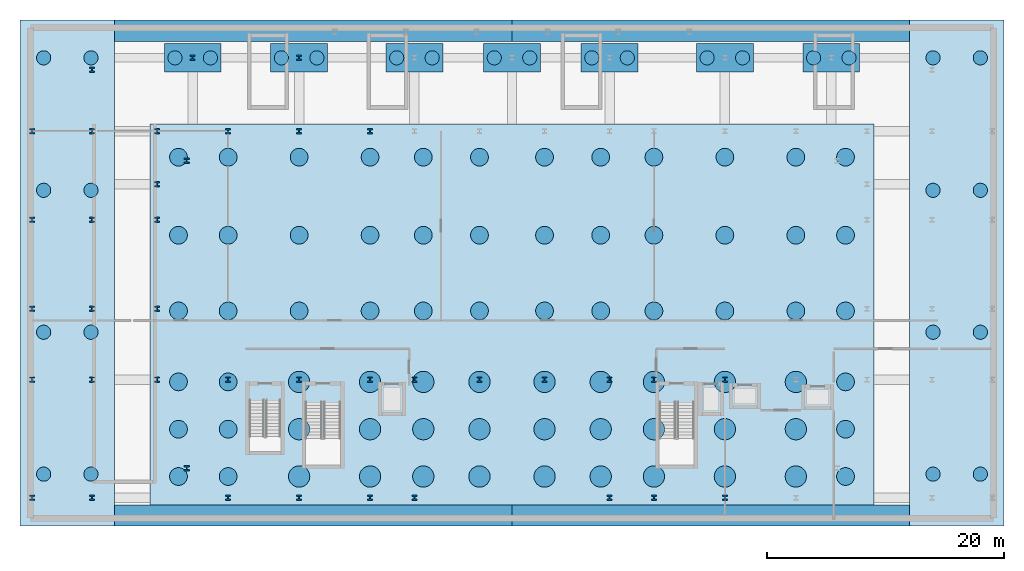
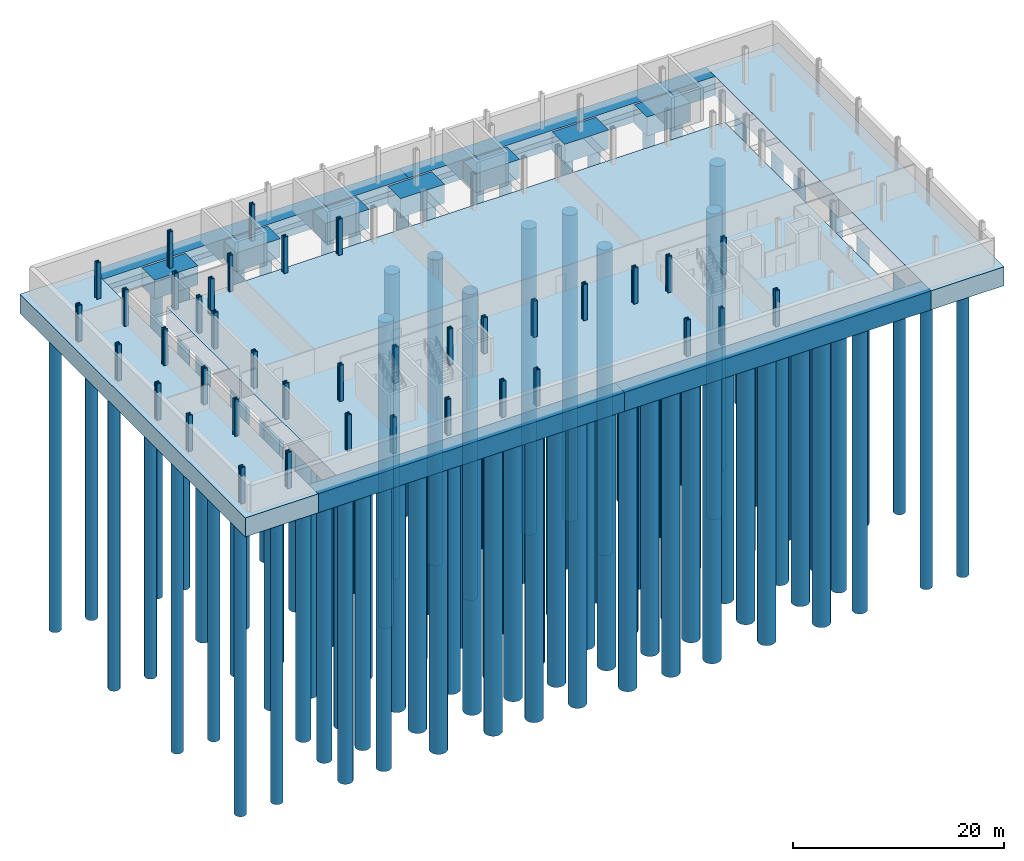
# One storey, part 1 of 7: 102 piles, 39 columns, 14 footings.
"""IFC4 building model written with IfcOpenShell, lengths in metres."""

import ifcopenshell
import ifcopenshell.guid

model = None  # the IFC model being written
_history = None  # IfcOwnerHistory: only IFC2X3 demands one
_inside = {}  # id of a spatial element -> (the spatial element, [elements in it])
_under = {}  # id of a project, library or spatial element -> (it, [spatial elements below it])
_declared = {}  # id of a project -> (the project, [libraries it declares])
_typed = {}  # id of a type object -> (the type object, [elements of that type])
_made_of = {}  # id of a material, layer set ... -> (it, [elements and type objects made of it])


def new_model(schema):
    """Start an empty IFC model of exactly this schema.

    Asked for "IFC4X3", IfcOpenShell would pick the latest addendum, in which some entities
    have other attributes; the version numbers below select the first issue.
    IFC2X3 requires an IfcOwnerHistory on every rooted entity: one is made here for all.
    """
    global model, _history
    if schema == "IFC4X3":
        model = ifcopenshell.file(schema_version=(4, 3, 0, 0))
    else:
        model = ifcopenshell.file(schema=schema)
    _inside.clear()
    _under.clear()
    _declared.clear()
    _typed.clear()
    _made_of.clear()
    _history = None
    if model.schema == "IFC2X3":
        org = make("IfcOrganization", Name="unknown")
        user = make(
            "IfcPersonAndOrganization",
            ThePerson=make("IfcPerson", FamilyName="unknown"),
            TheOrganization=org,
        )
        app = make(
            "IfcApplication",
            ApplicationDeveloper=org,
            Version="unknown",
            ApplicationFullName="unknown",
            ApplicationIdentifier="unknown",
        )
        _history = make(
            "IfcOwnerHistory",
            OwningUser=user,
            OwningApplication=app,
            ChangeAction="ADDED",
            CreationDate=0,
        )
    return model


def make(cls, **values):
    """One entity of the class cls with the attributes given. An attribute that is None is left unset."""
    return model.create_entity(
        cls, **{name: value for name, value in values.items() if value is not None}
    )


def rooted(cls, **values):
    """An entity with a GlobalId (a new one), such as an element, a storey or a relation."""
    return make(cls, GlobalId=ifcopenshell.guid.new(), OwnerHistory=_history, **values)


def si_unit(unit_type, name, prefix=None):
    """IfcSIUnit, for example si_unit("LENGTHUNIT", "METRE", prefix="MILLI")."""
    return make("IfcSIUnit", UnitType=unit_type, Prefix=prefix, Name=name)


def assignment(units):
    """IfcUnitAssignment: the units of a project."""
    return None if units is None else make("IfcUnitAssignment", Units=units)


def point(xyz):
    """IfcCartesianPoint."""
    return None if xyz is None else make("IfcCartesianPoint", Coordinates=xyz)


def direction(xyz):
    """IfcDirection."""
    return None if xyz is None else make("IfcDirection", DirectionRatios=xyz)


def frame(location, z_axis=None, x_axis=None):
    """IfcAxis2Placement3D, a coordinate frame: its origin and axes. An axis left out is left unset."""
    return make(
        "IfcAxis2Placement3D",
        Location=point(location),
        Axis=direction(z_axis),
        RefDirection=direction(x_axis),
    )


def frame_2d(location, x_axis=None):
    """IfcAxis2Placement2D, a coordinate frame in the plane: its origin and x axis."""
    return make(
        "IfcAxis2Placement2D", Location=point(location), RefDirection=direction(x_axis)
    )


def origin():
    """The frame at (0, 0, 0) with its axes left unset."""
    return frame((0.0, 0.0, 0.0))


def origin_2d():
    """The frame at (0, 0) in the plane with its x axis left unset."""
    return frame_2d((0.0, 0.0))


def place(relative_to, where):
    """IfcLocalPlacement: puts the frame where relative to a parent placement (None: the world)."""
    return make(
        "IfcLocalPlacement", PlacementRelTo=relative_to, RelativePlacement=where
    )


def context(
    kind, dimensions, precision=None, world=None, true_north=None, identifier=None
):
    """IfcGeometricRepresentationContext, for example the 3D "Model" context."""
    return make(
        "IfcGeometricRepresentationContext",
        ContextIdentifier=identifier,
        ContextType=kind,
        CoordinateSpaceDimension=dimensions,
        Precision=precision,
        WorldCoordinateSystem=world,
        TrueNorth=true_north,
    )


def subcontext(parent, identifier, kind, view, scale=None):
    """IfcGeometricRepresentationSubContext, for example "Body" below "Model"."""
    return make(
        "IfcGeometricRepresentationSubContext",
        ContextIdentifier=identifier,
        ContextType=kind,
        ParentContext=parent,
        TargetScale=scale,
        TargetView=view,
    )


def project(units=None, contexts=None):
    """IfcProject with its units and contexts."""
    return rooted(
        "IfcProject",
        Name="project",
        RepresentationContexts=contexts,
        UnitsInContext=assignment(units),
    )


def spatial(cls, under=None, at=None, **own):
    """A site, building, storey or space (cls), placed at a placement, below another one or the project."""
    s = rooted(cls, ObjectPlacement=at, **own)
    if under is not None:
        _under.setdefault(under.id(), (under, []))[1].append(s)
    return s


def polyline(points):
    """IfcPolyline through the points."""
    return make("IfcPolyline", Points=[point(p) for p in points])


def profile(cls, at=None, kind="AREA", **sizes):
    """A parametric profile (cls). Its sizes go by their IFC names, for example OverallWidth=200.0."""
    return make(cls, ProfileType=kind, Position=at, **sizes)


def circle(**sizes):
    """IfcCircleProfileDef."""
    return profile("IfcCircleProfileDef", **sizes)


def i_section(**sizes):
    """IfcIShapeProfileDef."""
    return profile("IfcIShapeProfileDef", **sizes)


def outline(outer, holes=None, kind="AREA"):
    """IfcArbitraryClosedProfileDef: a profile drawn as a closed curve; with holes, ...WithVoids."""
    if holes is None:
        return make("IfcArbitraryClosedProfileDef", ProfileType=kind, OuterCurve=outer)
    return make(
        "IfcArbitraryProfileDefWithVoids",
        ProfileType=kind,
        OuterCurve=outer,
        InnerCurves=holes,
    )


def extrude(swept, where, along, depth):
    """IfcExtrudedAreaSolid: the profile swept, set in the frame where, extruded along a direction by depth."""
    return make(
        "IfcExtrudedAreaSolid",
        SweptArea=swept,
        Position=where,
        ExtrudedDirection=direction(along),
        Depth=depth,
    )


def shape(context_of_items, identifier, shape_type, items):
    """IfcShapeRepresentation: the items that make up one representation, for example the "Body"."""
    return make(
        "IfcShapeRepresentation",
        ContextOfItems=context_of_items,
        RepresentationIdentifier=identifier,
        RepresentationType=shape_type,
        Items=items,
    )


def material(Name=None, Category=None):
    """IfcMaterial."""
    return make("IfcMaterial", Name=Name, Category=Category)


def layer(
    of_material, thickness, ventilated=None, Name=None, Category=None, Priority=None
):
    """IfcMaterialLayer: one layer of a wall or slab, of a material (None: an air gap)."""
    return make(
        "IfcMaterialLayer",
        Material=of_material,
        LayerThickness=thickness,
        IsVentilated=ventilated,
        Name=Name,
        Category=Category,
        Priority=Priority,
    )


def layer_set(layers, Name=None):
    """IfcMaterialLayerSet."""
    return make("IfcMaterialLayerSet", MaterialLayers=layers, LayerSetName=Name)


def material_profile(
    of_material, cross_section, Name=None, Category=None, Priority=None
):
    """IfcMaterialProfile: a cross section and its material."""
    return make(
        "IfcMaterialProfile",
        Name=Name,
        Material=of_material,
        Profile=cross_section,
        Priority=Priority,
        Category=Category,
    )


def profile_set(profiles, Name=None, composite=None):
    """IfcMaterialProfileSet."""
    return make(
        "IfcMaterialProfileSet",
        Name=Name,
        MaterialProfiles=profiles,
        CompositeProfile=composite,
    )


def made_of(thing, what):
    """Note that an element or type object is made of a material, layer set ...; save() writes the relation."""
    if what is not None:
        _made_of.setdefault(what.id(), (what, []))[1].append(thing)
    return thing


def type_object(cls, material=None, **own):
    """A type object (cls), such as IfcWallType, which elements share."""
    return made_of(rooted(cls, **own), material)


def element(
    cls,
    number,
    at=None,
    inside=None,
    cuts=None,
    type_object=None,
    material=None,
    context=None,
    identifier="Body",
    shape_type=None,
    held_by="IfcProductDefinitionShape",
    body=None,
    shapes=None,
    **own,
):
    """One element of the class cls, such as IfcWall. Its Tag is "e" and its number.

    at: its placement. inside: the storey or other place that contains it. cuts: it is an
    opening in that element (IfcRelVoidsElement). A single representation is given by context,
    identifier, shape_type and body (its items); several are given by shapes. held_by: the class
    of the entity that holds the representations. save() writes the other relations.
    """
    e = rooted(cls, Tag="e%d" % number, ObjectPlacement=at, **own)
    if body is not None:
        shapes = [shape(context, identifier, shape_type, body)]
    if shapes is not None:
        e.Representation = make(held_by, Representations=shapes)
    if inside is not None:
        _inside.setdefault(inside.id(), (inside, []))[1].append(e)
    if cuts is not None:
        rooted(
            "IfcRelVoidsElement", RelatingBuildingElement=cuts, RelatedOpeningElement=e
        )
    if type_object is not None:
        _typed.setdefault(type_object.id(), (type_object, []))[1].append(e)
    return made_of(e, material)


def aggregate(whole, parts):
    """IfcRelAggregates: a whole, such as a stair, and the parts it consists of."""
    return rooted("IfcRelAggregates", RelatingObject=whole, RelatedObjects=parts)


def save(model, path):
    """Write the relations noted so far, then the file.

    IfcRelAggregates (storeys below a building ...), IfcRelContainedInSpatialStructure (elements
    in a storey), IfcRelDefinesByType, IfcRelAssociatesMaterial and IfcRelDeclares: one each for
    every whole, place, type object, material and project.
    """
    for whole, parts in _under.values():
        aggregate(whole, parts)
    for where, things in _inside.values():
        rooted(
            "IfcRelContainedInSpatialStructure",
            RelatedElements=things,
            RelatingStructure=where,
        )
    for kind, things in _typed.values():
        rooted("IfcRelDefinesByType", RelatedObjects=things, RelatingType=kind)
    for what, things in _made_of.values():
        rooted("IfcRelAssociatesMaterial", RelatedObjects=things, RelatingMaterial=what)
    for by, libraries in _declared.values():
        rooted("IfcRelDeclares", RelatingContext=by, RelatedDefinitions=libraries)
    model.write(path)


model = new_model("IFC4")

# Units and contexts
model_context = context("Model", 3, precision=1e-05, world=origin(), true_north=direction((0.0, 1.0)))
body_context = subcontext(model_context, "Body", "Model", "MODEL_VIEW")
ifc_project = project(units=[si_unit("LENGTHUNIT", "METRE"), si_unit("AREAUNIT", "SQUARE_METRE"), si_unit("VOLUMEUNIT", "CUBIC_METRE"), si_unit("PLANEANGLEUNIT", "RADIAN"), si_unit("MASSUNIT", "GRAM", prefix="KILO")], contexts=[model_context])

# Site, building, storey
site_placement = place(None, origin())
site = spatial("IfcSite", under=ifc_project, at=site_placement, CompositionType="ELEMENT")
building_placement = place(site_placement, origin())
building = spatial("IfcBuilding", under=site, at=building_placement, Name="Brevholm Reach", CompositionType="ELEMENT")
storey_placement = place(building_placement, frame((0.0, 0.0, -8.39990234375)))
storey = spatial("IfcBuildingStorey", under=building, at=storey_placement, Name="B02", CompositionType="ELEMENT", Elevation=-8.39990234375)

# Footings
ifc_material_1 = material(Name="Concrete C50/60", Category="concrete")
ifc_layer_1 = layer(ifc_material_1, 2.199951171875)
ifc_layer_set_1 = layer_set([ifc_layer_1], Name="Concrete C50/60")
footing_type_1 = type_object("IfcFootingType", Name="FTG-PC-4800", PredefinedType="PILE_CAP", material=ifc_layer_set_1)
footing_1_placement = place(storey_placement, frame((0.0, 0.0, -2.2001953125)))
element("IfcFooting", 1, at=footing_1_placement, inside=storey, type_object=footing_type_1, Name="B02 Podium Pile Cap PC-01", PredefinedType="PILE_CAP", context=body_context, shape_type="SweptSolid", body=[
    extrude(outline(polyline([(0.60009765625, 36.0), (5.39990234375, 36.0), (5.39990234375, 38.39990234375), (0.60009765625, 38.39990234375), (0.60009765625, 36.0)])), origin(), (0.0, 0.0, 1.0), 2.2001953125),
])
footing_2_placement = place(storey_placement, frame((0.0, 0.0, -2.2001953125)))
element("IfcFooting", 2, at=footing_2_placement, inside=storey, type_object=footing_type_1, Name="B02 Podium Pile Cap PC-02", PredefinedType="PILE_CAP", context=body_context, shape_type="SweptSolid", body=[
    extrude(outline(polyline([(9.60009765625, 36.0), (14.39990234375, 36.0), (14.39990234375, 38.39990234375), (9.60009765625, 38.39990234375), (9.60009765625, 36.0)])), origin(), (0.0, 0.0, 1.0), 2.2001953125),
])
footing_3_placement = place(storey_placement, frame((0.0, 0.0, -2.2001953125)))
element("IfcFooting", 3, at=footing_3_placement, inside=storey, type_object=footing_type_1, Name="B02 Podium Pile Cap PC-03", PredefinedType="PILE_CAP", context=body_context, shape_type="SweptSolid", body=[
    extrude(outline(polyline([(19.35009765625, 36.0), (24.14990234375, 36.0), (24.14990234375, 38.39990234375), (19.35009765625, 38.39990234375), (19.35009765625, 36.0)])), origin(), (0.0, 0.0, 1.0), 2.2001953125),
])
footing_4_placement = place(storey_placement, frame((0.0, 0.0, -2.2001953125)))
element("IfcFooting", 4, at=footing_4_placement, inside=storey, type_object=footing_type_1, Name="B02 Podium Pile Cap PC-04", PredefinedType="PILE_CAP", context=body_context, shape_type="SweptSolid", body=[
    extrude(outline(polyline([(27.60009765625, 36.0), (32.39990234375, 36.0), (32.39990234375, 38.39990234375), (27.60009765625, 38.39990234375), (27.60009765625, 36.0)])), origin(), (0.0, 0.0, 1.0), 2.2001953125),
])
footing_5_placement = place(storey_placement, frame((0.0, 0.0, -2.2001953125)))
element("IfcFooting", 5, at=footing_5_placement, inside=storey, type_object=footing_type_1, Name="B02 Podium Pile Cap PC-05", PredefinedType="PILE_CAP", context=body_context, shape_type="SweptSolid", body=[
    extrude(outline(polyline([(35.85009765625, 36.0), (40.64990234375, 36.0), (40.64990234375, 38.39990234375), (35.85009765625, 38.39990234375), (35.85009765625, 36.0)])), origin(), (0.0, 0.0, 1.0), 2.2001953125),
])
footing_6_placement = place(storey_placement, frame((0.0, 0.0, -2.2001953125)))
element("IfcFooting", 6, at=footing_6_placement, inside=storey, type_object=footing_type_1, Name="B02 Podium Pile Cap PC-06", PredefinedType="PILE_CAP", context=body_context, shape_type="SweptSolid", body=[
    extrude(outline(polyline([(45.60009765625, 36.0), (50.39990234375, 36.0), (50.39990234375, 38.39990234375), (45.60009765625, 38.39990234375), (45.60009765625, 36.0)])), origin(), (0.0, 0.0, 1.0), 2.2001953125),
])
footing_7_placement = place(storey_placement, frame((0.0, 0.0, -2.2001953125)))
element("IfcFooting", 7, at=footing_7_placement, inside=storey, type_object=footing_type_1, Name="B02 Podium Pile Cap PC-07", PredefinedType="PILE_CAP", context=body_context, shape_type="SweptSolid", body=[
    extrude(outline(polyline([(54.60009765625, 36.0), (59.39990234375, 36.0), (59.39990234375, 38.39990234375), (54.60009765625, 38.39990234375), (54.60009765625, 36.0)])), origin(), (0.0, 0.0, 1.0), 2.2001953125),
])
ifc_material_2 = material(Name="Concrete C50/60", Category="concrete")
ifc_layer_2 = layer(ifc_material_2, 2.199951171875)
ifc_layer_set_2 = layer_set([ifc_layer_2], Name="Concrete C50/60")
footing_type_2 = type_object("IfcFootingType", Name="FTG-PCW-8000", PredefinedType="PILE_CAP", material=ifc_layer_set_2)
footing_8_placement = place(storey_placement, frame((0.0, 0.0, -2.2001953125)))
element("IfcFooting", 8, at=footing_8_placement, inside=storey, type_object=footing_type_2, Name="B02 Podium Wing Pile-Cap Mat PCW", PredefinedType="PILE_CAP", context=body_context, shape_type="SweptSolid", body=[
    extrude(outline(polyline([(-11.60009765625, -2.39990234375), (-3.60009765625, -2.39990234375), (-3.60009765625, 40.39990234375), (-11.60009765625, 40.39990234375), (-11.60009765625, -2.39990234375)])), origin(), (0.0, 0.0, 1.0), 2.2001953125),
])
footing_9_placement = place(storey_placement, frame((0.0, 0.0, -2.2001953125)))
element("IfcFooting", 9, at=footing_9_placement, inside=storey, type_object=footing_type_2, Name="B02 Podium Wing Pile-Cap Mat PCE", PredefinedType="PILE_CAP", context=body_context, shape_type="SweptSolid", body=[
    extrude(outline(polyline([(63.60009765625, -2.39990234375), (71.60009765625, -2.39990234375), (71.60009765625, 40.39990234375), (63.60009765625, 40.39990234375), (63.60009765625, -2.39990234375)])), origin(), (0.0, 0.0, 1.0), 2.2001953125),
])
ifc_material_3 = material(Name="Concrete C50/60", Category="concrete")
ifc_layer_3 = layer(ifc_material_3, 2.199951171875)
ifc_layer_set_3 = layer_set([ifc_layer_3], Name="Concrete C50/60")
footing_type_3 = type_object("IfcFootingType", Name="FTG-RAFT-2200", PredefinedType="PILE_CAP", material=ifc_layer_set_3)
footing_10_placement = place(storey_placement, frame((0.0, 0.0, -2.2001953125)))
element("IfcFooting", 10, at=footing_10_placement, inside=storey, type_object=footing_type_3, Name="B02 Tower Piled-Raft Foundation", PredefinedType="PILE_CAP", context=body_context, shape_type="SweptSolid", body=[
    extrude(outline(polyline([(-0.60009765625, -0.60009765625), (60.60009765625, -0.60009765625), (60.60009765625, 31.60009765625), (-0.60009765625, 31.60009765625), (-0.60009765625, -0.60009765625)])), origin(), (0.0, 0.0, 1.0), 2.2001953125),
])
ifc_material_4 = material(Name="Concrete C50/60", Category="concrete")
ifc_layer_4 = layer(ifc_material_4, 2.199951171875)
ifc_layer_set_4 = layer_set([ifc_layer_4], Name="Concrete C50/60")
footing_type_4 = type_object("IfcFootingType", Name="FTG-SF-1800", PredefinedType="STRIP_FOOTING", material=ifc_layer_set_4)
footing_11_placement = place(storey_placement, frame((0.0, 0.0, -2.2001953125)))
element("IfcFooting", 11, at=footing_11_placement, inside=storey, type_object=footing_type_4, Name="B02 Perimeter Strip Footing SF-S1", PredefinedType="STRIP_FOOTING", context=body_context, shape_type="SweptSolid", body=[
    extrude(outline(polyline([(-3.60009765625, -2.39990234375), (30.0, -2.39990234375), (30.0, -0.60009765625), (-3.60009765625, -0.60009765625), (-3.60009765625, -2.39990234375)])), origin(), (0.0, 0.0, 1.0), 2.2001953125),
])
footing_12_placement = place(storey_placement, frame((0.0, 0.0, -2.2001953125)))
element("IfcFooting", 12, at=footing_12_placement, inside=storey, type_object=footing_type_4, Name="B02 Perimeter Strip Footing SF-S2", PredefinedType="STRIP_FOOTING", context=body_context, shape_type="SweptSolid", body=[
    extrude(outline(polyline([(30.0, -2.39990234375), (63.60009765625, -2.39990234375), (63.60009765625, -0.60009765625), (30.0, -0.60009765625), (30.0, -2.39990234375)])), origin(), (0.0, 0.0, 1.0), 2.2001953125),
])
footing_13_placement = place(storey_placement, frame((0.0, 0.0, -2.2001953125)))
element("IfcFooting", 13, at=footing_13_placement, inside=storey, type_object=footing_type_4, Name="B02 Perimeter Strip Footing SF-N1", PredefinedType="STRIP_FOOTING", context=body_context, shape_type="SweptSolid", body=[
    extrude(outline(polyline([(-3.60009765625, 38.60009765625), (30.0, 38.60009765625), (30.0, 40.39990234375), (-3.60009765625, 40.39990234375), (-3.60009765625, 38.60009765625)])), origin(), (0.0, 0.0, 1.0), 2.2001953125),
])
footing_14_placement = place(storey_placement, frame((0.0, 0.0, -2.2001953125)))
element("IfcFooting", 14, at=footing_14_placement, inside=storey, type_object=footing_type_4, Name="B02 Perimeter Strip Footing SF-N2", PredefinedType="STRIP_FOOTING", context=body_context, shape_type="SweptSolid", body=[
    extrude(outline(polyline([(30.0, 38.60009765625), (63.60009765625, 38.60009765625), (63.60009765625, 40.39990234375), (30.0, 40.39990234375), (30.0, 38.60009765625)])), origin(), (0.0, 0.0, 1.0), 2.2001953125),
])

# Piles
ifc_material_5 = material(Name="Concrete C50/60", Category="concrete")
ifc_material_profile_1 = material_profile(ifc_material_5, circle(Radius=0.60009765625, at=origin_2d()), Name="PILE D1200")
ifc_profile_set_1 = profile_set([ifc_material_profile_1], Name="Concrete C50/60")
pile_type_1 = type_object("IfcPileType", Name="PIL-D1200", PredefinedType="BORED", material=ifc_profile_set_1)
for number, where, z_axis, x_axis, name in (
    (15, (-9.60009765625, 2.0, -2.10009765625), (0.0, 0.0, -1.0), (1.0, 0.0, 0.0), "Bored Pile BP-073"),
    (16, (-9.60009765625, 14.0, -2.10009765625), (0.0, 0.0, -1.0), (1.0, 0.0, 0.0), "Bored Pile BP-074"),
    (17, (-9.60009765625, 26.0, -2.10009765625), (0.0, 0.0, -1.0), (1.0, 0.0, 0.0), "Bored Pile BP-075"),
    (18, (-9.60009765625, 37.199951171875, -2.10009765625), (0.0, 0.0, -1.0), (1.0, 0.0, 0.0), "Bored Pile BP-076"),
    (19, (-5.60009765625, 2.0, -2.10009765625), (0.0, 0.0, -1.0), (1.0, 0.0, 0.0), "Bored Pile BP-077"),
    (20, (-5.60009765625, 14.0, -2.10009765625), (0.0, 0.0, -1.0), (1.0, 0.0, 0.0), "Bored Pile BP-078"),
    (21, (-5.60009765625, 26.0, -2.10009765625), (0.0, 0.0, -1.0), (1.0, 0.0, 0.0), "Bored Pile BP-079"),
    (22, (-5.60009765625, 37.199951171875, -2.10009765625), (0.0, 0.0, -1.0), (1.0, 0.0, 0.0), "Bored Pile BP-080"),
    (23, (65.60009765625, 2.0, -2.10009765625), (0.0, 0.0, -1.0), (1.0, 0.0, 0.0), "Bored Pile BP-081"),
    (24, (65.60009765625, 14.0, -2.10009765625), (0.0, 0.0, -1.0), (1.0, 0.0, 0.0), "Bored Pile BP-082"),
    (25, (65.60009765625, 26.0, -2.10009765625), (0.0, 0.0, -1.0), (1.0, 0.0, 0.0), "Bored Pile BP-083"),
    (26, (65.60009765625, 37.199951171875, -2.10009765625), (0.0, 0.0, -1.0), (1.0, 0.0, 0.0), "Bored Pile BP-084"),
    (27, (69.60009765625, 2.0, -2.10009765625), (0.0, 0.0, -1.0), (1.0, 0.0, 0.0), "Bored Pile BP-085"),
    (28, (69.60009765625, 14.0, -2.10009765625), (0.0, 0.0, -1.0), (1.0, 0.0, 0.0), "Bored Pile BP-086"),
    (29, (69.60009765625, 26.0, -2.10009765625), (0.0, 0.0, -1.0), (1.0, 0.0, 0.0), "Bored Pile BP-087"),
    (30, (69.60009765625, 37.199951171875, -2.10009765625), (0.0, 0.0, -1.0), (1.0, 0.0, 0.0), "Bored Pile BP-088"),
    (31, (1.5, 37.199951171875, -2.10009765625), (0.0, 0.0, -1.0), (1.0, 0.0, 0.0), "Bored Pile BP-089"),
    (32, (4.5, 37.199951171875, -2.10009765625), (0.0, 0.0, -1.0), (1.0, 0.0, 0.0), "Bored Pile BP-090"),
    (33, (10.5, 37.199951171875, -2.10009765625), (0.0, 0.0, -1.0), (1.0, 0.0, 0.0), "Bored Pile BP-091"),
    (34, (13.5, 37.199951171875, -2.10009765625), (0.0, 0.0, -1.0), (1.0, 0.0, 0.0), "Bored Pile BP-092"),
    (35, (20.25, 37.199951171875, -2.10009765625), (0.0, 0.0, -1.0), (1.0, 0.0, 0.0), "Bored Pile BP-093"),
    (36, (23.25, 37.199951171875, -2.10009765625), (0.0, 0.0, -1.0), (1.0, 0.0, 0.0), "Bored Pile BP-094"),
    (37, (28.5, 37.199951171875, -2.10009765625), (0.0, 0.0, -1.0), (1.0, 0.0, 0.0), "Bored Pile BP-095"),
    (38, (31.5, 37.199951171875, -2.10009765625), (0.0, 0.0, -1.0), (1.0, 0.0, 0.0), "Bored Pile BP-096"),
    (39, (36.75, 37.199951171875, -2.10009765625), (0.0, 0.0, -1.0), (1.0, 0.0, 0.0), "Bored Pile BP-097"),
    (40, (39.75, 37.199951171875, -2.10009765625), (0.0, 0.0, -1.0), (1.0, 0.0, 0.0), "Bored Pile BP-098"),
    (41, (46.5, 37.199951171875, -2.10009765625), (0.0, 0.0, -1.0), (1.0, 0.0, 0.0), "Bored Pile BP-099"),
    (42, (49.5, 37.199951171875, -2.10009765625), (0.0, 0.0, -1.0), (1.0, 0.0, 0.0), "Bored Pile BP-100"),
    (43, (55.5, 37.199951171875, -2.10009765625), (0.0, 0.0, -1.0), (1.0, 0.0, 0.0), "Bored Pile BP-101"),
    (44, (58.5, 37.199951171875, -2.10009765625), (0.0, 0.0, -1.0), (1.0, 0.0, 0.0), "Bored Pile BP-102"),
):
    element("IfcPile", number, at=place(storey_placement, frame(where, z_axis=z_axis, x_axis=x_axis)), inside=storey, type_object=pile_type_1, Name=name, PredefinedType="BORED", context=body_context, shape_type="SweptSolid", body=[
        extrude(circle(Radius=0.60009765625, at=origin_2d()), origin(), (0.0, 0.0, 1.0), 35.5),
    ])
ifc_material_6 = material(Name="Concrete C50/60", Category="concrete")
ifc_material_profile_2 = material_profile(ifc_material_6, circle(Radius=0.75, at=origin_2d()), Name="PILE D1500")
ifc_profile_set_2 = profile_set([ifc_material_profile_2], Name="Concrete C50/60")
pile_type_2 = type_object("IfcPileType", Name="PIL-D1500", PredefinedType="BORED", material=ifc_profile_set_2)
for number, where, z_axis, x_axis, name in (
    (45, (1.800048828125, 1.800048828125, -2.10009765625), (0.0, 0.0, -1.0), (1.0, 0.0, 0.0), "Bored Pile BP-001"),
    (46, (1.800048828125, 5.800048828125, -2.10009765625), (0.0, 0.0, -1.0), (1.0, 0.0, 0.0), "Bored Pile BP-002"),
    (47, (1.800048828125, 9.800048828125, -2.10009765625), (0.0, 0.0, -1.0), (1.0, 0.0, 0.0), "Bored Pile BP-003"),
    (48, (1.800048828125, 15.800048828125, -2.10009765625), (0.0, 0.0, -1.0), (1.0, 0.0, 0.0), "Bored Pile BP-004"),
    (49, (1.800048828125, 22.199951171875, -2.10009765625), (0.0, 0.0, -1.0), (1.0, 0.0, 0.0), "Bored Pile BP-005"),
    (50, (1.800048828125, 28.800048828125, -2.10009765625), (0.0, 0.0, -1.0), (1.0, 0.0, 0.0), "Bored Pile BP-006"),
    (51, (6.0, 1.800048828125, -2.10009765625), (0.0, 0.0, -1.0), (1.0, 0.0, 0.0), "Bored Pile BP-007"),
    (52, (6.0, 5.800048828125, -2.10009765625), (0.0, 0.0, -1.0), (1.0, 0.0, 0.0), "Bored Pile BP-008"),
    (53, (6.0, 9.800048828125, -2.10009765625), (0.0, 0.0, -1.0), (1.0, 0.0, 0.0), "Bored Pile BP-009"),
    (54, (6.0, 15.800048828125, -2.10009765625), (0.0, 0.0, -1.0), (1.0, 0.0, 0.0), "Bored Pile BP-010"),
    (55, (6.0, 22.199951171875, -2.10009765625), (0.0, 0.0, -1.0), (1.0, 0.0, 0.0), "Bored Pile BP-011"),
    (56, (6.0, 28.800048828125, -2.10009765625), (0.0, 0.0, -1.0), (1.0, 0.0, 0.0), "Bored Pile BP-012"),
    (57, (12.0, 15.800048828125, -2.10009765625), (0.0, 0.0, -1.0), (1.0, 0.0, 0.0), "Bored Pile BP-016"),
    (58, (12.0, 22.199951171875, -2.10009765625), (0.0, 0.0, -1.0), (1.0, 0.0, 0.0), "Bored Pile BP-017"),
    (59, (12.0, 28.800048828125, -2.10009765625), (0.0, 0.0, -1.0), (1.0, 0.0, 0.0), "Bored Pile BP-018"),
    (60, (18.0, 15.800048828125, -2.10009765625), (0.0, 0.0, -1.0), (1.0, 0.0, 0.0), "Bored Pile BP-022"),
    (61, (18.0, 22.199951171875, -2.10009765625), (0.0, 0.0, -1.0), (1.0, 0.0, 0.0), "Bored Pile BP-023"),
    (62, (18.0, 28.800048828125, -2.10009765625), (0.0, 0.0, -1.0), (1.0, 0.0, 0.0), "Bored Pile BP-024"),
    (63, (22.5, 15.800048828125, -2.10009765625), (0.0, 0.0, -1.0), (1.0, 0.0, 0.0), "Bored Pile BP-028"),
    (64, (22.5, 22.199951171875, -2.10009765625), (0.0, 0.0, -1.0), (1.0, 0.0, 0.0), "Bored Pile BP-029"),
    (65, (22.5, 28.800048828125, -2.10009765625), (0.0, 0.0, -1.0), (1.0, 0.0, 0.0), "Bored Pile BP-030"),
    (66, (27.25, 15.800048828125, -2.10009765625), (0.0, 0.0, -1.0), (1.0, 0.0, 0.0), "Bored Pile BP-034"),
    (67, (27.25, 22.199951171875, -2.10009765625), (0.0, 0.0, -1.0), (1.0, 0.0, 0.0), "Bored Pile BP-035"),
    (68, (27.25, 28.800048828125, -2.10009765625), (0.0, 0.0, -1.0), (1.0, 0.0, 0.0), "Bored Pile BP-036"),
    (69, (32.75, 15.800048828125, -2.10009765625), (0.0, 0.0, -1.0), (1.0, 0.0, 0.0), "Bored Pile BP-040"),
    (70, (32.75, 22.199951171875, -2.10009765625), (0.0, 0.0, -1.0), (1.0, 0.0, 0.0), "Bored Pile BP-041"),
    (71, (32.75, 28.800048828125, -2.10009765625), (0.0, 0.0, -1.0), (1.0, 0.0, 0.0), "Bored Pile BP-042"),
    (72, (37.5, 15.800048828125, -2.10009765625), (0.0, 0.0, -1.0), (1.0, 0.0, 0.0), "Bored Pile BP-046"),
    (73, (37.5, 22.199951171875, -2.10009765625), (0.0, 0.0, -1.0), (1.0, 0.0, 0.0), "Bored Pile BP-047"),
    (74, (37.5, 28.800048828125, -2.10009765625), (0.0, 0.0, -1.0), (1.0, 0.0, 0.0), "Bored Pile BP-048"),
    (75, (42.0, 15.800048828125, -2.10009765625), (0.0, 0.0, -1.0), (1.0, 0.0, 0.0), "Bored Pile BP-052"),
    (76, (42.0, 22.199951171875, -2.10009765625), (0.0, 0.0, -1.0), (1.0, 0.0, 0.0), "Bored Pile BP-053"),
    (77, (42.0, 28.800048828125, -2.10009765625), (0.0, 0.0, -1.0), (1.0, 0.0, 0.0), "Bored Pile BP-054"),
    (78, (48.0, 15.800048828125, -2.10009765625), (0.0, 0.0, -1.0), (1.0, 0.0, 0.0), "Bored Pile BP-058"),
    (79, (48.0, 22.199951171875, -2.10009765625), (0.0, 0.0, -1.0), (1.0, 0.0, 0.0), "Bored Pile BP-059"),
    (80, (48.0, 28.800048828125, -2.10009765625), (0.0, 0.0, -1.0), (1.0, 0.0, 0.0), "Bored Pile BP-060"),
    (81, (54.0, 15.800048828125, -2.10009765625), (0.0, 0.0, -1.0), (1.0, 0.0, 0.0), "Bored Pile BP-064"),
    (82, (54.0, 22.199951171875, -2.10009765625), (0.0, 0.0, -1.0), (1.0, 0.0, 0.0), "Bored Pile BP-065"),
    (83, (54.0, 28.800048828125, -2.10009765625), (0.0, 0.0, -1.0), (1.0, 0.0, 0.0), "Bored Pile BP-066"),
    (84, (58.199951171875, 1.800048828125, -2.10009765625), (0.0, 0.0, -1.0), (1.0, 0.0, 0.0), "Bored Pile BP-067"),
    (85, (58.199951171875, 5.800048828125, -2.10009765625), (0.0, 0.0, -1.0), (1.0, 0.0, 0.0), "Bored Pile BP-068"),
    (86, (58.199951171875, 9.800048828125, -2.10009765625), (0.0, 0.0, -1.0), (1.0, 0.0, 0.0), "Bored Pile BP-069"),
    (87, (58.199951171875, 15.800048828125, -2.10009765625), (0.0, 0.0, -1.0), (1.0, 0.0, 0.0), "Bored Pile BP-070"),
    (88, (58.199951171875, 22.199951171875, -2.10009765625), (0.0, 0.0, -1.0), (1.0, 0.0, 0.0), "Bored Pile BP-071"),
    (89, (58.199951171875, 28.800048828125, -2.10009765625), (0.0, 0.0, -1.0), (1.0, 0.0, 0.0), "Bored Pile BP-072"),
):
    element("IfcPile", number, at=place(storey_placement, frame(where, z_axis=z_axis, x_axis=x_axis)), inside=storey, type_object=pile_type_2, Name=name, PredefinedType="BORED", context=body_context, shape_type="SweptSolid", body=[
        extrude(circle(Radius=0.75, at=origin_2d()), origin(), (0.0, 0.0, 1.0), 35.5),
    ])
ifc_material_7 = material(Name="Concrete C50/60", Category="concrete")
ifc_material_profile_3 = material_profile(ifc_material_7, circle(Radius=0.89990234375, at=origin_2d()), Name="PILE D1800")
ifc_profile_set_3 = profile_set([ifc_material_profile_3], Name="Concrete C50/60")
pile_type_3 = type_object("IfcPileType", Name="PIL-D1800", PredefinedType="BORED", material=ifc_profile_set_3)
for number, where, z_axis, x_axis, name in (
    (90, (12.0, 1.800048828125, -2.10009765625), (0.0, 0.0, -1.0), (1.0, 0.0, 0.0), "Bored Pile BP-013"),
    (91, (12.0, 5.800048828125, -2.10009765625), (0.0, 0.0, -1.0), (1.0, 0.0, 0.0), "Bored Pile BP-014"),
    (92, (12.0, 9.800048828125, -2.10009765625), (0.0, 0.0, -1.0), (1.0, 0.0, 0.0), "Bored Pile BP-015"),
    (93, (18.0, 1.800048828125, -2.10009765625), (0.0, 0.0, -1.0), (1.0, 0.0, 0.0), "Bored Pile BP-019"),
    (94, (18.0, 5.800048828125, -2.10009765625), (0.0, 0.0, -1.0), (1.0, 0.0, 0.0), "Bored Pile BP-020"),
    (95, (18.0, 9.800048828125, -2.10009765625), (0.0, 0.0, -1.0), (1.0, 0.0, 0.0), "Bored Pile BP-021"),
    (96, (22.5, 1.800048828125, -2.10009765625), (0.0, 0.0, -1.0), (1.0, 0.0, 0.0), "Bored Pile BP-025"),
    (97, (22.5, 5.800048828125, -2.10009765625), (0.0, 0.0, -1.0), (1.0, 0.0, 0.0), "Bored Pile BP-026"),
    (98, (22.5, 9.800048828125, -2.10009765625), (0.0, 0.0, -1.0), (1.0, 0.0, 0.0), "Bored Pile BP-027"),
    (99, (27.25, 1.800048828125, -2.10009765625), (0.0, 0.0, -1.0), (1.0, 0.0, 0.0), "Bored Pile BP-031"),
    (100, (27.25, 5.800048828125, -2.10009765625), (0.0, 0.0, -1.0), (1.0, 0.0, 0.0), "Bored Pile BP-032"),
    (101, (27.25, 9.800048828125, -2.10009765625), (0.0, 0.0, -1.0), (1.0, 0.0, 0.0), "Bored Pile BP-033"),
    (102, (32.75, 1.800048828125, -2.10009765625), (0.0, 0.0, -1.0), (1.0, 0.0, 0.0), "Bored Pile BP-037"),
    (103, (32.75, 5.800048828125, -2.10009765625), (0.0, 0.0, -1.0), (1.0, 0.0, 0.0), "Bored Pile BP-038"),
    (104, (32.75, 9.800048828125, -2.10009765625), (0.0, 0.0, -1.0), (1.0, 0.0, 0.0), "Bored Pile BP-039"),
    (105, (37.5, 1.800048828125, -2.10009765625), (0.0, 0.0, -1.0), (1.0, 0.0, 0.0), "Bored Pile BP-043"),
    (106, (37.5, 5.800048828125, -2.10009765625), (0.0, 0.0, -1.0), (1.0, 0.0, 0.0), "Bored Pile BP-044"),
    (107, (37.5, 9.800048828125, -2.10009765625), (0.0, 0.0, -1.0), (1.0, 0.0, 0.0), "Bored Pile BP-045"),
    (108, (42.0, 1.800048828125, -2.10009765625), (0.0, 0.0, -1.0), (1.0, 0.0, 0.0), "Bored Pile BP-049"),
    (109, (42.0, 5.800048828125, -2.10009765625), (0.0, 0.0, -1.0), (1.0, 0.0, 0.0), "Bored Pile BP-050"),
    (110, (42.0, 9.800048828125, -2.10009765625), (0.0, 0.0, -1.0), (1.0, 0.0, 0.0), "Bored Pile BP-051"),
    (111, (48.0, 1.800048828125, -2.10009765625), (0.0, 0.0, -1.0), (1.0, 0.0, 0.0), "Bored Pile BP-055"),
    (112, (48.0, 5.800048828125, -2.10009765625), (0.0, 0.0, -1.0), (1.0, 0.0, 0.0), "Bored Pile BP-056"),
    (113, (48.0, 9.800048828125, -2.10009765625), (0.0, 0.0, -1.0), (1.0, 0.0, 0.0), "Bored Pile BP-057"),
    (114, (54.0, 1.800048828125, -2.10009765625), (0.0, 0.0, -1.0), (1.0, 0.0, 0.0), "Bored Pile BP-061"),
    (115, (54.0, 5.800048828125, -2.10009765625), (0.0, 0.0, -1.0), (1.0, 0.0, 0.0), "Bored Pile BP-062"),
    (116, (54.0, 9.800048828125, -2.10009765625), (0.0, 0.0, -1.0), (1.0, 0.0, 0.0), "Bored Pile BP-063"),
):
    element("IfcPile", number, at=place(storey_placement, frame(where, z_axis=z_axis, x_axis=x_axis)), inside=storey, type_object=pile_type_3, Name=name, PredefinedType="BORED", context=body_context, shape_type="SweptSolid", body=[
        extrude(circle(Radius=0.89990234375, at=origin_2d()), origin(), (0.0, 0.0, 1.0), 35.5),
    ])

# Columns
ifc_material_8 = material(Name="Structural Steel S460ML", Category="steel")
ifc_material_profile_4 = material_profile(ifc_material_8, i_section(OverallWidth=0.427978515625, OverallDepth=0.468994140625, WebThickness=0.077880859375, FlangeThickness=0.125, FilletRadius=0.014892578125, at=origin_2d()), Name="HD 400x1086")
ifc_profile_set_4 = profile_set([ifc_material_profile_4], Name="Structural Steel S460ML")
column_type = type_object("IfcColumnType", Name="COL-HD1", PredefinedType="COLUMN", material=ifc_profile_set_4)
for number, where, z_axis, x_axis, name in (
    (117, (-10.60009765625, 0.0, 0.0), (0.0, 0.0, 1.0), (1.0, 0.0, 0.0), "B02 Column 01"),
    (118, (-10.60009765625, 10.0, 0.0), (0.0, 0.0, 1.0), (1.0, 0.0, 0.0), "B02 Column 02"),
    (119, (-10.60009765625, 16.0, 0.0), (0.0, 0.0, 1.0), (1.0, 0.0, 0.0), "B02 Column 03"),
    (120, (-10.60009765625, 23.5, 0.0), (0.0, 0.0, 1.0), (1.0, 0.0, 0.0), "B02 Column 04"),
    (121, (-10.60009765625, 31.0, 0.0), (0.0, 0.0, 1.0), (1.0, 0.0, 0.0), "B02 Column 05"),
    (122, (-5.5, 0.0, 0.0), (0.0, 0.0, 1.0), (1.0, 0.0, 0.0), "B02 Column 06"),
    (123, (-5.5, 10.0, 0.0), (0.0, 0.0, 1.0), (1.0, 0.0, 0.0), "B02 Column 07"),
    (124, (-5.5, 16.0, 0.0), (0.0, 0.0, 1.0), (1.0, 0.0, 0.0), "B02 Column 08"),
    (125, (-5.5, 23.5, 0.0), (0.0, 0.0, 1.0), (1.0, 0.0, 0.0), "B02 Column 09"),
    (126, (-5.5, 31.0, 0.0), (0.0, 0.0, 1.0), (1.0, 0.0, 0.0), "B02 Column 10"),
    (127, (-5.5, 36.199951171875, 0.0), (0.0, 0.0, 1.0), (1.0, 0.0, 0.0), "B02 Column 11"),
    (128, (0.0, 10.0, 0.0), (0.0, 0.0, 1.0), (1.0, 0.0, 0.0), "B02 Column 12"),
    (129, (0.0, 16.0, 0.0), (0.0, 0.0, 1.0), (1.0, 0.0, 0.0), "B02 Column 13"),
    (130, (0.0, 23.5, 0.0), (0.0, 0.0, 1.0), (1.0, 0.0, 0.0), "B02 Column 14"),
    (131, (0.0, 26.5, 0.0), (0.0, 0.0, 1.0), (1.0, 0.0, 0.0), "B02 Column 15"),
    (132, (0.0, 31.0, 0.0), (0.0, 0.0, 1.0), (1.0, 0.0, 0.0), "B02 Column 16"),
    (133, (2.5, 2.5, 0.0), (0.0, 0.0, 1.0), (1.0, 0.0, 0.0), "B02 Column 17"),
    (134, (2.5, 28.5, 0.0), (0.0, 0.0, 1.0), (1.0, 0.0, 0.0), "B02 Column 18"),
    (135, (3.0, 37.199951171875, 0.0), (0.0, 0.0, 1.0), (1.0, 0.0, 0.0), "B02 Column 19"),
    (136, (6.0, 0.0, 0.0), (0.0, 0.0, 1.0), (1.0, 0.0, 0.0), "B02 Column 20"),
    (137, (6.0, 10.0, 0.0), (0.0, 0.0, 1.0), (1.0, 0.0, 0.0), "B02 Column 21"),
    (138, (6.0, 31.0, 0.0), (0.0, 0.0, 1.0), (1.0, 0.0, 0.0), "B02 Column 22"),
    (139, (12.0, 0.0, 0.0), (0.0, 0.0, 1.0), (1.0, 0.0, 0.0), "B02 Column 23"),
    (140, (12.0, 10.0, 0.0), (0.0, 0.0, 1.0), (1.0, 0.0, 0.0), "B02 Column 24"),
    (141, (12.0, 31.0, 0.0), (0.0, 0.0, 1.0), (1.0, 0.0, 0.0), "B02 Column 25"),
    (142, (12.0, 37.199951171875, 0.0), (0.0, 0.0, 1.0), (1.0, 0.0, 0.0), "B02 Column 26"),
    (143, (18.0, 0.0, 0.0), (0.0, 0.0, 1.0), (1.0, 0.0, 0.0), "B02 Column 27"),
    (144, (18.0, 10.0, 0.0), (0.0, 0.0, 1.0), (1.0, 0.0, 0.0), "B02 Column 28"),
    (145, (18.0, 31.0, 0.0), (0.0, 0.0, 1.0), (1.0, 0.0, 0.0), "B02 Column 29"),
    (146, (21.75, 0.0, 0.0), (0.0, 0.0, 1.0), (1.0, 0.0, 0.0), "B02 Column 30"),
    (147, (21.75, 10.0, 0.0), (0.0, 0.0, 1.0), (1.0, 0.0, 0.0), "B02 Column 31"),
    (148, (27.25, 10.0, 0.0), (0.0, 0.0, 1.0), (1.0, 0.0, 0.0), "B02 Column 34"),
    (149, (32.75, 10.0, 0.0), (0.0, 0.0, 1.0), (1.0, 0.0, 0.0), "B02 Column 37"),
    (150, (38.25, 0.0, 0.0), (0.0, 0.0, 1.0), (1.0, 0.0, 0.0), "B02 Column 39"),
    (151, (38.25, 10.0, 0.0), (0.0, 0.0, 1.0), (1.0, 0.0, 0.0), "B02 Column 40"),
    (152, (42.0, 0.0, 0.0), (0.0, 0.0, 1.0), (1.0, 0.0, 0.0), "B02 Column 43"),
    (153, (42.0, 10.0, 0.0), (0.0, 0.0, 1.0), (1.0, 0.0, 0.0), "B02 Column 44"),
    (154, (48.0, 0.0, 0.0), (0.0, 0.0, 1.0), (1.0, 0.0, 0.0), "B02 Column 46"),
    (155, (48.0, 10.0, 0.0), (0.0, 0.0, 1.0), (1.0, 0.0, 0.0), "B02 Column 47"),
):
    element("IfcColumn", number, at=place(storey_placement, frame(where, z_axis=z_axis, x_axis=x_axis)), inside=storey, type_object=column_type, Name=name, PredefinedType="COLUMN", context=body_context, shape_type="SweptSolid", body=[
        extrude(i_section(OverallWidth=0.427978515625, OverallDepth=0.468994140625, WebThickness=0.077880859375, FlangeThickness=0.125, FilletRadius=0.014892578125, at=origin_2d()), origin(), (0.0, 0.0, 1.0), 4.199951171875),
    ])

save(model, "model.ifc")
